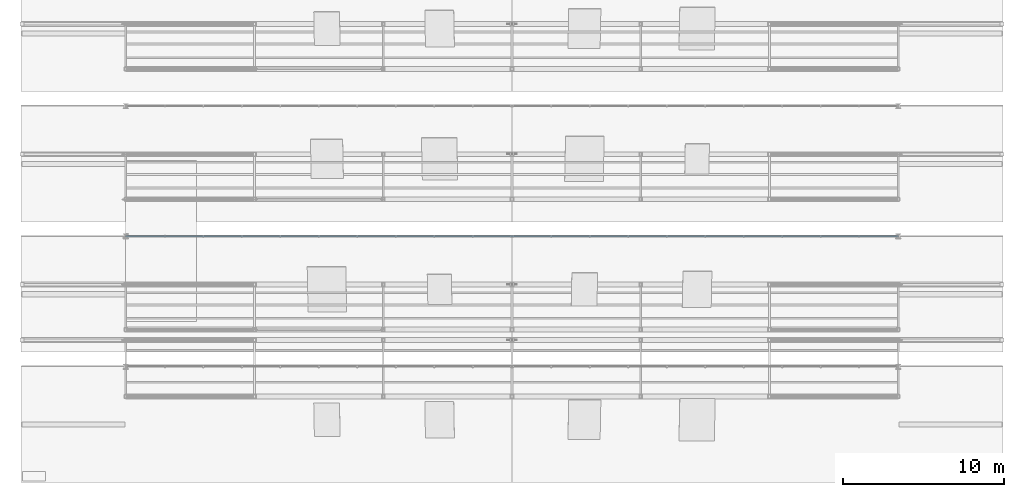
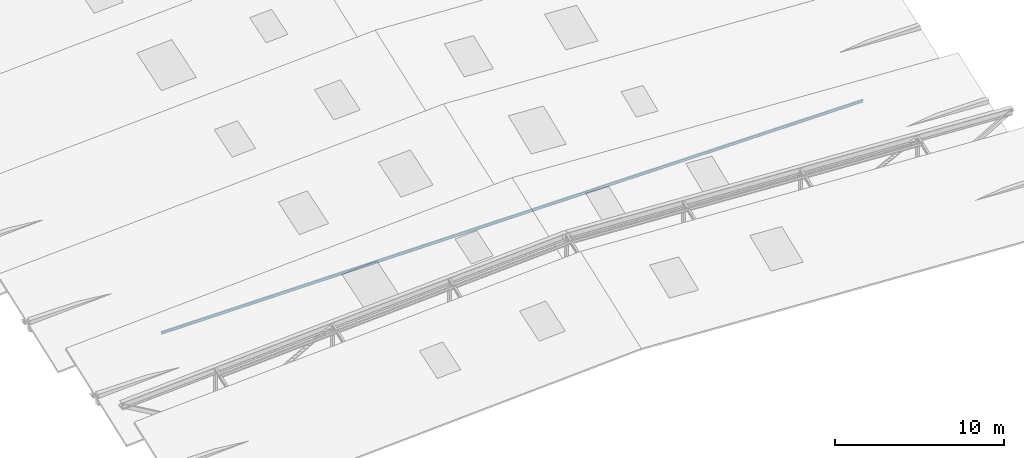
# One storey, part 23 of 141: 1 member.
"""IFC4 building model written with IfcOpenShell, lengths in metres."""

from ifc_helpers import new_model, si_unit, direction, frame, origin, origin_2d, place, context, subcontext, project, spatial, i_section, extrude, material, material_profile, profile_set, type_object, element, save


model = new_model("IFC4")

# Units and contexts
model_context = context("Model", 3, precision=1e-05, world=origin(), true_north=direction((0.0, 1.0)))
body_context = subcontext(model_context, "Body", "Model", "MODEL_VIEW")
ifc_project = project(units=[si_unit("LENGTHUNIT", "METRE"), si_unit("AREAUNIT", "SQUARE_METRE"), si_unit("VOLUMEUNIT", "CUBIC_METRE"), si_unit("PLANEANGLEUNIT", "RADIAN"), si_unit("MASSUNIT", "GRAM", prefix="KILO")], contexts=[model_context])

# Site, building, storey
site_placement = place(None, origin())
site = spatial("IfcSite", under=ifc_project, at=site_placement, CompositionType="ELEMENT")
building_placement = place(site_placement, origin())
building = spatial("IfcBuilding", under=site, at=building_placement, Name="Sundkrona Museum", CompositionType="ELEMENT")
storey_placement = place(building_placement, frame((0.0, 0.0, 34.0)))
storey = spatial("IfcBuildingStorey", under=building, at=storey_placement, Name="RF", CompositionType="ELEMENT", Elevation=34.0)

# Member
ifc_material = material(Name="Steel S355J2", Category="steel")
ifc_material_profile = material_profile(ifc_material, i_section(OverallWidth=0.10009765625, OverallDepth=0.199951171875, WebThickness=0.005615234375, FlangeThickness=0.008544921875, FilletRadius=0.011962890625, at=origin_2d()), Name="IPE 200")
ifc_profile_set = profile_set([ifc_material_profile], Name="Steel S355J2")
member_type = type_object("IfcMemberType", Name="PR-IPE200", PredefinedType="PURLIN", material=ifc_profile_set)
member_placement = place(storey_placement, frame((120.0, 10.300048828125, 2.54296875), z_axis=(1.0, 0.0, 0.0), x_axis=(0.0, 1.0, 0.0)))
element("IfcMember", 1, at=member_placement, inside=storey, type_object=member_type, Name="RFS-1 Sawtooth Bay 2 Clerestory Sill Beam", PredefinedType="PURLIN", context=body_context, shape_type="SweptSolid", body=[
    extrude(i_section(OverallWidth=0.10009765625, OverallDepth=0.199951171875, WebThickness=0.005615234375, FlangeThickness=0.008544921875, FilletRadius=0.011962890625, at=origin_2d()), origin(), (0.0, 0.0, 1.0), 48.0),
])

save(model, "model.ifc")
